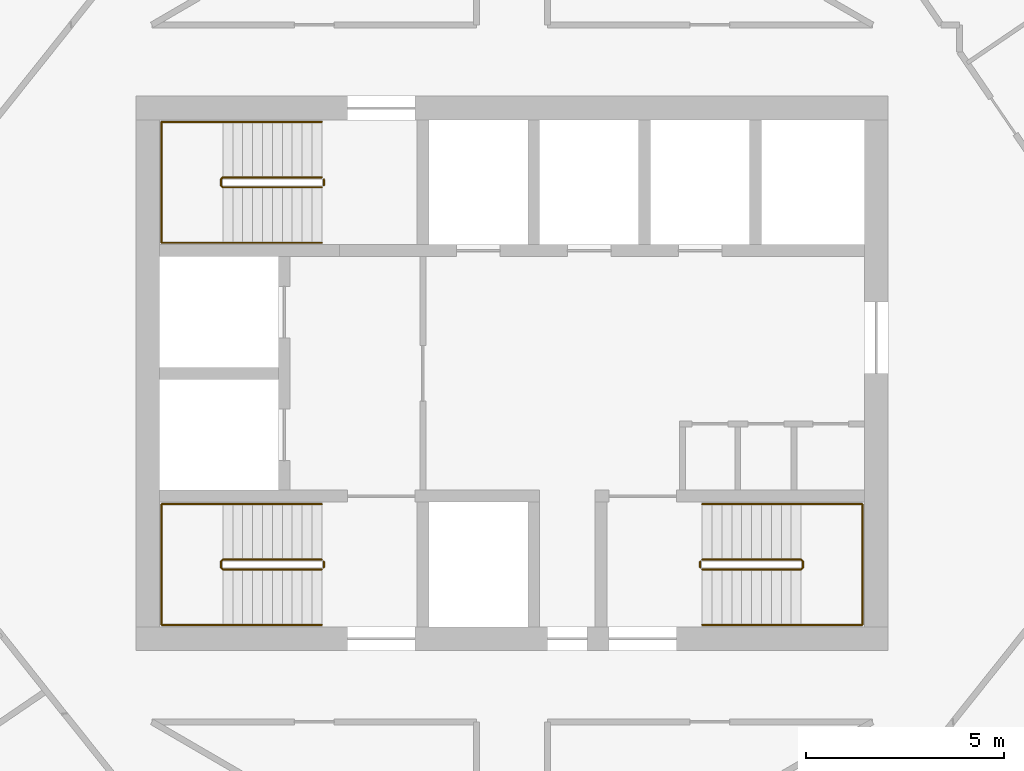
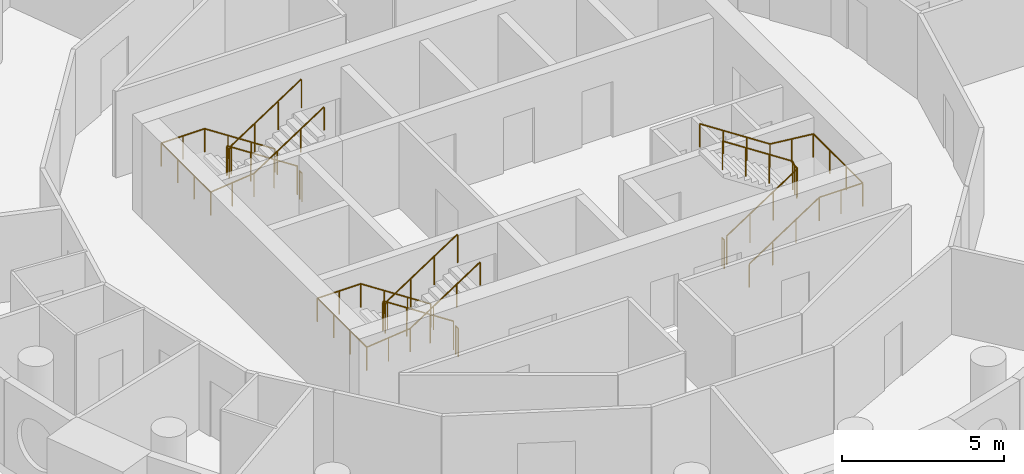
# One storey, part 12 of 12: 9 railings.
"""IFC4 building model written with IfcOpenShell, lengths in metres."""

import ifcopenshell
import ifcopenshell.guid

model = None  # the IFC model being written
_history = None  # IfcOwnerHistory: only IFC2X3 demands one
_inside = {}  # id of a spatial element -> (the spatial element, [elements in it])
_under = {}  # id of a project, library or spatial element -> (it, [spatial elements below it])
_declared = {}  # id of a project -> (the project, [libraries it declares])
_typed = {}  # id of a type object -> (the type object, [elements of that type])
_made_of = {}  # id of a material, layer set ... -> (it, [elements and type objects made of it])


def new_model(schema):
    """Start an empty IFC model of exactly this schema.

    Asked for "IFC4X3", IfcOpenShell would pick the latest addendum, in which some entities
    have other attributes; the version numbers below select the first issue.
    IFC2X3 requires an IfcOwnerHistory on every rooted entity: one is made here for all.
    """
    global model, _history
    if schema == "IFC4X3":
        model = ifcopenshell.file(schema_version=(4, 3, 0, 0))
    else:
        model = ifcopenshell.file(schema=schema)
    _inside.clear()
    _under.clear()
    _declared.clear()
    _typed.clear()
    _made_of.clear()
    _history = None
    if model.schema == "IFC2X3":
        org = make("IfcOrganization", Name="unknown")
        user = make(
            "IfcPersonAndOrganization",
            ThePerson=make("IfcPerson", FamilyName="unknown"),
            TheOrganization=org,
        )
        app = make(
            "IfcApplication",
            ApplicationDeveloper=org,
            Version="unknown",
            ApplicationFullName="unknown",
            ApplicationIdentifier="unknown",
        )
        _history = make(
            "IfcOwnerHistory",
            OwningUser=user,
            OwningApplication=app,
            ChangeAction="ADDED",
            CreationDate=0,
        )
    return model


def make(cls, **values):
    """One entity of the class cls with the attributes given. An attribute that is None is left unset."""
    return model.create_entity(
        cls, **{name: value for name, value in values.items() if value is not None}
    )


def rooted(cls, **values):
    """An entity with a GlobalId (a new one), such as an element, a storey or a relation."""
    return make(cls, GlobalId=ifcopenshell.guid.new(), OwnerHistory=_history, **values)


def si_unit(unit_type, name, prefix=None):
    """IfcSIUnit, for example si_unit("LENGTHUNIT", "METRE", prefix="MILLI")."""
    return make("IfcSIUnit", UnitType=unit_type, Prefix=prefix, Name=name)


def assignment(units):
    """IfcUnitAssignment: the units of a project."""
    return None if units is None else make("IfcUnitAssignment", Units=units)


def point(xyz):
    """IfcCartesianPoint."""
    return None if xyz is None else make("IfcCartesianPoint", Coordinates=xyz)


def direction(xyz):
    """IfcDirection."""
    return None if xyz is None else make("IfcDirection", DirectionRatios=xyz)


def frame(location, z_axis=None, x_axis=None):
    """IfcAxis2Placement3D, a coordinate frame: its origin and axes. An axis left out is left unset."""
    return make(
        "IfcAxis2Placement3D",
        Location=point(location),
        Axis=direction(z_axis),
        RefDirection=direction(x_axis),
    )


def frame_2d(location, x_axis=None):
    """IfcAxis2Placement2D, a coordinate frame in the plane: its origin and x axis."""
    return make(
        "IfcAxis2Placement2D", Location=point(location), RefDirection=direction(x_axis)
    )


def origin():
    """The frame at (0, 0, 0) with its axes left unset."""
    return frame((0.0, 0.0, 0.0))


def origin_2d():
    """The frame at (0, 0) in the plane with its x axis left unset."""
    return frame_2d((0.0, 0.0))


def place(relative_to, where):
    """IfcLocalPlacement: puts the frame where relative to a parent placement (None: the world)."""
    return make(
        "IfcLocalPlacement", PlacementRelTo=relative_to, RelativePlacement=where
    )


def context(
    kind, dimensions, precision=None, world=None, true_north=None, identifier=None
):
    """IfcGeometricRepresentationContext, for example the 3D "Model" context."""
    return make(
        "IfcGeometricRepresentationContext",
        ContextIdentifier=identifier,
        ContextType=kind,
        CoordinateSpaceDimension=dimensions,
        Precision=precision,
        WorldCoordinateSystem=world,
        TrueNorth=true_north,
    )


def subcontext(parent, identifier, kind, view, scale=None):
    """IfcGeometricRepresentationSubContext, for example "Body" below "Model"."""
    return make(
        "IfcGeometricRepresentationSubContext",
        ContextIdentifier=identifier,
        ContextType=kind,
        ParentContext=parent,
        TargetScale=scale,
        TargetView=view,
    )


def project(units=None, contexts=None):
    """IfcProject with its units and contexts."""
    return rooted(
        "IfcProject",
        Name="project",
        RepresentationContexts=contexts,
        UnitsInContext=assignment(units),
    )


def spatial(cls, under=None, at=None, **own):
    """A site, building, storey or space (cls), placed at a placement, below another one or the project."""
    s = rooted(cls, ObjectPlacement=at, **own)
    if under is not None:
        _under.setdefault(under.id(), (under, []))[1].append(s)
    return s


def profile(cls, at=None, kind="AREA", **sizes):
    """A parametric profile (cls). Its sizes go by their IFC names, for example OverallWidth=200.0."""
    return make(cls, ProfileType=kind, Position=at, **sizes)


def circle(**sizes):
    """IfcCircleProfileDef."""
    return profile("IfcCircleProfileDef", **sizes)


def extrude(swept, where, along, depth):
    """IfcExtrudedAreaSolid: the profile swept, set in the frame where, extruded along a direction by depth."""
    return make(
        "IfcExtrudedAreaSolid",
        SweptArea=swept,
        Position=where,
        ExtrudedDirection=direction(along),
        Depth=depth,
    )


def shape(context_of_items, identifier, shape_type, items):
    """IfcShapeRepresentation: the items that make up one representation, for example the "Body"."""
    return make(
        "IfcShapeRepresentation",
        ContextOfItems=context_of_items,
        RepresentationIdentifier=identifier,
        RepresentationType=shape_type,
        Items=items,
    )


def material(Name=None, Category=None):
    """IfcMaterial."""
    return make("IfcMaterial", Name=Name, Category=Category)


def made_of(thing, what):
    """Note that an element or type object is made of a material, layer set ...; save() writes the relation."""
    if what is not None:
        _made_of.setdefault(what.id(), (what, []))[1].append(thing)
    return thing


def type_object(cls, material=None, **own):
    """A type object (cls), such as IfcWallType, which elements share."""
    return made_of(rooted(cls, **own), material)


def element(
    cls,
    number,
    at=None,
    inside=None,
    cuts=None,
    type_object=None,
    material=None,
    context=None,
    identifier="Body",
    shape_type=None,
    held_by="IfcProductDefinitionShape",
    body=None,
    shapes=None,
    **own,
):
    """One element of the class cls, such as IfcWall. Its Tag is "e" and its number.

    at: its placement. inside: the storey or other place that contains it. cuts: it is an
    opening in that element (IfcRelVoidsElement). A single representation is given by context,
    identifier, shape_type and body (its items); several are given by shapes. held_by: the class
    of the entity that holds the representations. save() writes the other relations.
    """
    e = rooted(cls, Tag="e%d" % number, ObjectPlacement=at, **own)
    if body is not None:
        shapes = [shape(context, identifier, shape_type, body)]
    if shapes is not None:
        e.Representation = make(held_by, Representations=shapes)
    if inside is not None:
        _inside.setdefault(inside.id(), (inside, []))[1].append(e)
    if cuts is not None:
        rooted(
            "IfcRelVoidsElement", RelatingBuildingElement=cuts, RelatedOpeningElement=e
        )
    if type_object is not None:
        _typed.setdefault(type_object.id(), (type_object, []))[1].append(e)
    return made_of(e, material)


def aggregate(whole, parts):
    """IfcRelAggregates: a whole, such as a stair, and the parts it consists of."""
    return rooted("IfcRelAggregates", RelatingObject=whole, RelatedObjects=parts)


def save(model, path):
    """Write the relations noted so far, then the file.

    IfcRelAggregates (storeys below a building ...), IfcRelContainedInSpatialStructure (elements
    in a storey), IfcRelDefinesByType, IfcRelAssociatesMaterial and IfcRelDeclares: one each for
    every whole, place, type object, material and project.
    """
    for whole, parts in _under.values():
        aggregate(whole, parts)
    for where, things in _inside.values():
        rooted(
            "IfcRelContainedInSpatialStructure",
            RelatedElements=things,
            RelatingStructure=where,
        )
    for kind, things in _typed.values():
        rooted("IfcRelDefinesByType", RelatedObjects=things, RelatingType=kind)
    for what, things in _made_of.values():
        rooted("IfcRelAssociatesMaterial", RelatedObjects=things, RelatingMaterial=what)
    for by, libraries in _declared.values():
        rooted("IfcRelDeclares", RelatingContext=by, RelatedDefinitions=libraries)
    model.write(path)


model = new_model("IFC4")

# Units and contexts
model_context = context("Model", 3, precision=1e-05, world=origin(), true_north=direction((0.0, 1.0)))
body_context = subcontext(model_context, "Body", "Model", "MODEL_VIEW")
ifc_project = project(units=[si_unit("LENGTHUNIT", "METRE"), si_unit("AREAUNIT", "SQUARE_METRE"), si_unit("VOLUMEUNIT", "CUBIC_METRE"), si_unit("PLANEANGLEUNIT", "RADIAN"), si_unit("MASSUNIT", "GRAM", prefix="KILO")], contexts=[model_context])

# Site, building, storey
site_placement = place(None, origin())
site = spatial("IfcSite", under=ifc_project, at=site_placement, CompositionType="ELEMENT")
building_placement = place(site_placement, origin())
building = spatial("IfcBuilding", under=site, at=building_placement, Name="Tracery Tower", CompositionType="ELEMENT")
storey_placement = place(building_placement, frame((0.0, 0.0, 234.60009765625)))
storey = spatial("IfcBuildingStorey", under=building, at=storey_placement, Name="L60", CompositionType="ELEMENT", Elevation=234.60009765625)

# Railings
ifc_material_1 = material(Name="Stainless steel and laminated glass", Category="steel")
railing_type_1 = type_object("IfcRailingType", Name="Stair guard 1100", PredefinedType="GUARDRAIL", material=ifc_material_1)
railing_1_placement = place(storey_placement, frame((-4.800048828125, -4.699951171875, 0.16357421875)))
element("IfcRailing", 1, at=railing_1_placement, inside=storey, type_object=railing_type_1, Name="L60 stair ST1 guard 1", PredefinedType="GUARDRAIL", context=body_context, shape_type="SweptSolid", body=[
    extrude(circle(Radius=0.02392578125, at=origin_2d()), frame((0.0, 0.0, 1.076171875), z_axis=(-0.836721939367, 0.0, 0.547627972425), x_axis=(0.0, -1.0, 0.0)), (0.0, 0.0, 1.0), 2.98779296875),
    extrude(circle(Radius=0.02392578125, at=origin_2d()), frame((-2.5, 0.0, 2.71240234375), z_axis=(-0.707106781187, -0.707106781187, 0.0), x_axis=(0.707106781187, -0.707106781187, 0.0)), (0.0, 0.0, 1.0), 0.07080078125),
    extrude(circle(Radius=0.02392578125, at=origin_2d()), frame((-2.550048828125, -0.050048828125, 2.71240234375), z_axis=(0.0, -1.0, 0.0), x_axis=(1.0, 0.0, 0.0)), (0.0, 0.0, 1.0), 0.14990234375),
    extrude(circle(Radius=0.02392578125, at=origin_2d()), frame((-2.550048828125, -0.199951171875, 2.71240234375), z_axis=(0.280456126637, -0.280456126637, 0.917980785237), x_axis=(0.707106781187, 0.707106781187, 0.0)), (0.0, 0.0, 1.0), 0.178466796875),
    extrude(circle(Radius=0.02392578125, at=origin_2d()), frame((-2.5, -0.25, 2.8759765625), z_axis=(0.836721939367, 0.0, 0.547627972425), x_axis=(0.0, 1.0, 0.0)), (0.0, 0.0, 1.0), 2.98779296875),
    extrude(circle(Radius=0.02099609375, at=origin_2d()), origin(), (0.0, 0.0, 1.0), 1.052001953125),
    extrude(circle(Radius=0.02099609375, at=origin_2d()), frame((-0.833251953125, 0.0, 0.54541015625)), (0.0, 0.0, 1.0), 1.052001953125),
    extrude(circle(Radius=0.02099609375, at=origin_2d()), frame((-1.666748046875, 0.0, 1.0908203125)), (0.0, 0.0, 1.0), 1.052001953125),
    extrude(circle(Radius=0.02099609375, at=origin_2d()), frame((-2.5, 0.0, 1.63623046875)), (0.0, 0.0, 1.0), 1.052001953125),
    extrude(circle(Radius=0.02099609375, at=origin_2d()), frame((-2.550048828125, -0.050048828125, 1.63623046875)), (0.0, 0.0, 1.0), 1.052001953125),
    extrude(circle(Radius=0.02099609375, at=origin_2d()), frame((-2.550048828125, -0.199951171875, 1.63623046875)), (0.0, 0.0, 1.0), 1.052001953125),
    extrude(circle(Radius=0.02099609375, at=origin_2d()), frame((-2.5, -0.25, 1.800048828125)), (0.0, 0.0, 1.0), 1.052001953125),
    extrude(circle(Radius=0.02099609375, at=origin_2d()), frame((-1.666748046875, -0.25, 2.345458984375)), (0.0, 0.0, 1.0), 1.052001953125),
    extrude(circle(Radius=0.02099609375, at=origin_2d()), frame((-0.833251953125, -0.25, 2.890869140625)), (0.0, 0.0, 1.0), 1.052001953125),
    extrude(circle(Radius=0.02099609375, at=origin_2d()), frame((0.0, -0.25, 3.436279296875)), (0.0, 0.0, 1.0), 1.052001953125),
])
railing_2_placement = place(storey_placement, frame((-4.75, -4.75, 0.0)))
element("IfcRailing", 2, at=railing_2_placement, inside=storey, type_object=railing_type_1, Name="L60 stair ST1 guard 2", PredefinedType="GUARDRAIL", context=body_context, shape_type="SweptSolid", body=[
    extrude(circle(Radius=0.02392578125, at=origin_2d()), frame((0.0, 0.0, 1.076171875), z_axis=(0.0, -1.0, 0.0), x_axis=(1.0, 0.0, 0.0)), (0.0, 0.0, 1.0), 0.14990234375),
    extrude(circle(Radius=0.02099609375, at=origin_2d()), origin(), (0.0, 0.0, 1.0), 1.052001953125),
    extrude(circle(Radius=0.02099609375, at=origin_2d()), frame((0.0, -0.14990234375, 0.0)), (0.0, 0.0, 1.0), 1.052001953125),
])
railing_3_placement = place(storey_placement, frame((-4.800048828125, 4.949951171875, 0.16357421875)))
element("IfcRailing", 3, at=railing_3_placement, inside=storey, type_object=railing_type_1, Name="L60 stair ST3 guard 1", PredefinedType="GUARDRAIL", context=body_context, shape_type="SweptSolid", body=[
    extrude(circle(Radius=0.02392578125, at=origin_2d()), frame((0.0, 0.0, 1.076171875), z_axis=(-0.836721939367, 0.0, 0.547627972425), x_axis=(0.0, -1.0, 0.0)), (0.0, 0.0, 1.0), 2.98779296875),
    extrude(circle(Radius=0.02392578125, at=origin_2d()), frame((-2.5, 0.0, 2.71240234375), z_axis=(-0.707106781187, -0.707106781187, 0.0), x_axis=(0.707106781187, -0.707106781187, 0.0)), (0.0, 0.0, 1.0), 0.07080078125),
    extrude(circle(Radius=0.02392578125, at=origin_2d()), frame((-2.550048828125, -0.050048828125, 2.71240234375), z_axis=(0.0, -1.0, 0.0), x_axis=(1.0, 0.0, 0.0)), (0.0, 0.0, 1.0), 0.14990234375),
    extrude(circle(Radius=0.02392578125, at=origin_2d()), frame((-2.550048828125, -0.199951171875, 2.71240234375), z_axis=(0.280456126637, -0.280456126637, 0.917980785237), x_axis=(0.707106781187, 0.707106781187, 0.0)), (0.0, 0.0, 1.0), 0.178466796875),
    extrude(circle(Radius=0.02392578125, at=origin_2d()), frame((-2.5, -0.25, 2.8759765625), z_axis=(0.836721939367, 0.0, 0.547627972425), x_axis=(0.0, 1.0, 0.0)), (0.0, 0.0, 1.0), 2.98779296875),
    extrude(circle(Radius=0.02099609375, at=origin_2d()), origin(), (0.0, 0.0, 1.0), 1.052001953125),
    extrude(circle(Radius=0.02099609375, at=origin_2d()), frame((-0.833251953125, 0.0, 0.54541015625)), (0.0, 0.0, 1.0), 1.052001953125),
    extrude(circle(Radius=0.02099609375, at=origin_2d()), frame((-1.666748046875, 0.0, 1.0908203125)), (0.0, 0.0, 1.0), 1.052001953125),
    extrude(circle(Radius=0.02099609375, at=origin_2d()), frame((-2.5, 0.0, 1.63623046875)), (0.0, 0.0, 1.0), 1.052001953125),
    extrude(circle(Radius=0.02099609375, at=origin_2d()), frame((-2.550048828125, -0.050048828125, 1.63623046875)), (0.0, 0.0, 1.0), 1.052001953125),
    extrude(circle(Radius=0.02099609375, at=origin_2d()), frame((-2.550048828125, -0.199951171875, 1.63623046875)), (0.0, 0.0, 1.0), 1.052001953125),
    extrude(circle(Radius=0.02099609375, at=origin_2d()), frame((-2.5, -0.25, 1.800048828125)), (0.0, 0.0, 1.0), 1.052001953125),
    extrude(circle(Radius=0.02099609375, at=origin_2d()), frame((-1.666748046875, -0.25, 2.345458984375)), (0.0, 0.0, 1.0), 1.052001953125),
    extrude(circle(Radius=0.02099609375, at=origin_2d()), frame((-0.833251953125, -0.25, 2.890869140625)), (0.0, 0.0, 1.0), 1.052001953125),
    extrude(circle(Radius=0.02099609375, at=origin_2d()), frame((0.0, -0.25, 3.436279296875)), (0.0, 0.0, 1.0), 1.052001953125),
])
railing_4_placement = place(storey_placement, frame((-4.75, 4.89990234375, 0.0)))
element("IfcRailing", 4, at=railing_4_placement, inside=storey, type_object=railing_type_1, Name="L60 stair ST3 guard 2", PredefinedType="GUARDRAIL", context=body_context, shape_type="SweptSolid", body=[
    extrude(circle(Radius=0.02392578125, at=origin_2d()), frame((0.0, 0.0, 1.076171875), z_axis=(0.0, -1.0, 0.0), x_axis=(1.0, 0.0, 0.0)), (0.0, 0.0, 1.0), 0.14990234375),
    extrude(circle(Radius=0.02099609375, at=origin_2d()), origin(), (0.0, 0.0, 1.0), 1.052001953125),
    extrude(circle(Radius=0.02099609375, at=origin_2d()), frame((0.0, -0.14990234375, 0.0)), (0.0, 0.0, 1.0), 1.052001953125),
])
railing_5_placement = place(storey_placement, frame((4.800048828125, -4.949951171875, 0.16357421875)))
element("IfcRailing", 5, at=railing_5_placement, inside=storey, type_object=railing_type_1, Name="L60 stair ST2 guard 1", PredefinedType="GUARDRAIL", context=body_context, shape_type="SweptSolid", body=[
    extrude(circle(Radius=0.02392578125, at=origin_2d()), frame((0.0, 0.0, 1.076171875), z_axis=(0.836721939367, 0.0, 0.547627972425), x_axis=(0.0, 1.0, 0.0)), (0.0, 0.0, 1.0), 2.98779296875),
    extrude(circle(Radius=0.02392578125, at=origin_2d()), frame((2.5, 0.0, 2.71240234375), z_axis=(0.707106781187, 0.707106781187, 0.0), x_axis=(-0.707106781187, 0.707106781187, 0.0)), (0.0, 0.0, 1.0), 0.07080078125),
    extrude(circle(Radius=0.02392578125, at=origin_2d()), frame((2.550048828125, 0.050048828125, 2.71240234375), z_axis=(0.0, 1.0, 0.0), x_axis=(-1.0, 0.0, 0.0)), (0.0, 0.0, 1.0), 0.14990234375),
    extrude(circle(Radius=0.02392578125, at=origin_2d()), frame((2.550048828125, 0.199951171875, 2.71240234375), z_axis=(-0.280456126637, 0.280456126637, 0.917980785237), x_axis=(-0.707106781187, -0.707106781187, 0.0)), (0.0, 0.0, 1.0), 0.178466796875),
    extrude(circle(Radius=0.02392578125, at=origin_2d()), frame((2.5, 0.25, 2.8759765625), z_axis=(-0.836721939367, 0.0, 0.547627972425), x_axis=(0.0, -1.0, 0.0)), (0.0, 0.0, 1.0), 2.98779296875),
    extrude(circle(Radius=0.02099609375, at=origin_2d()), origin(), (0.0, 0.0, 1.0), 1.052001953125),
    extrude(circle(Radius=0.02099609375, at=origin_2d()), frame((0.833251953125, 0.0, 0.54541015625)), (0.0, 0.0, 1.0), 1.052001953125),
    extrude(circle(Radius=0.02099609375, at=origin_2d()), frame((1.666748046875, 0.0, 1.0908203125)), (0.0, 0.0, 1.0), 1.052001953125),
    extrude(circle(Radius=0.02099609375, at=origin_2d()), frame((2.5, 0.0, 1.63623046875)), (0.0, 0.0, 1.0), 1.052001953125),
    extrude(circle(Radius=0.02099609375, at=origin_2d()), frame((2.550048828125, 0.050048828125, 1.63623046875)), (0.0, 0.0, 1.0), 1.052001953125),
    extrude(circle(Radius=0.02099609375, at=origin_2d()), frame((2.550048828125, 0.199951171875, 1.63623046875)), (0.0, 0.0, 1.0), 1.052001953125),
    extrude(circle(Radius=0.02099609375, at=origin_2d()), frame((2.5, 0.25, 1.800048828125)), (0.0, 0.0, 1.0), 1.052001953125),
    extrude(circle(Radius=0.02099609375, at=origin_2d()), frame((1.666748046875, 0.25, 2.345458984375)), (0.0, 0.0, 1.0), 1.052001953125),
    extrude(circle(Radius=0.02099609375, at=origin_2d()), frame((0.833251953125, 0.25, 2.890869140625)), (0.0, 0.0, 1.0), 1.052001953125),
    extrude(circle(Radius=0.02099609375, at=origin_2d()), frame((0.0, 0.25, 3.436279296875)), (0.0, 0.0, 1.0), 1.052001953125),
])
railing_6_placement = place(storey_placement, frame((4.75, -4.89990234375, 0.0)))
element("IfcRailing", 6, at=railing_6_placement, inside=storey, type_object=railing_type_1, Name="L60 stair ST2 guard 2", PredefinedType="GUARDRAIL", context=body_context, shape_type="SweptSolid", body=[
    extrude(circle(Radius=0.02392578125, at=origin_2d()), frame((0.0, 0.0, 1.076171875), z_axis=(0.0, 1.0, 0.0), x_axis=(-1.0, 0.0, 0.0)), (0.0, 0.0, 1.0), 0.14990234375),
    extrude(circle(Radius=0.02099609375, at=origin_2d()), origin(), (0.0, 0.0, 1.0), 1.052001953125),
    extrude(circle(Radius=0.02099609375, at=origin_2d()), frame((0.0, 0.14990234375, 0.0)), (0.0, 0.0, 1.0), 1.052001953125),
])
ifc_material_2 = material(Name="Stainless steel and laminated glass", Category="steel")
railing_type_2 = type_object("IfcRailingType", Name="Stair handrail 900", PredefinedType="HANDRAIL", material=ifc_material_2)
railing_7_placement = place(storey_placement, frame((-4.800048828125, -3.300048828125, 0.16357421875)))
element("IfcRailing", 7, at=railing_7_placement, inside=storey, type_object=railing_type_2, Name="L60 stair ST1 handrail 1", PredefinedType="HANDRAIL", context=body_context, shape_type="SweptSolid", body=[
    extrude(circle(Radius=0.02392578125, at=origin_2d()), frame((0.0, 0.0, 0.8759765625), z_axis=(-0.836721939367, 0.0, 0.547627972425), x_axis=(0.0, -1.0, 0.0)), (0.0, 0.0, 1.0), 2.98779296875),
    extrude(circle(Radius=0.02392578125, at=origin_2d()), frame((-2.5, 0.0, 2.51220703125), z_axis=(-1.0, 0.0, 0.0), x_axis=(0.0, -1.0, 0.0)), (0.0, 0.0, 1.0), 1.550048828125),
    extrude(circle(Radius=0.02392578125, at=origin_2d()), frame((-4.050048828125, 0.0, 2.51220703125), z_axis=(0.0, -1.0, 0.0), x_axis=(1.0, 0.0, 0.0)), (0.0, 0.0, 1.0), 3.050048828125),
    extrude(circle(Radius=0.02392578125, at=origin_2d()), frame((-4.050048828125, -3.050048828125, 2.51220703125), z_axis=(0.994461594632, 0.0, 0.105100603244), x_axis=(0.0, 1.0, 0.0)), (0.0, 0.0, 1.0), 1.55859375),
    extrude(circle(Radius=0.02392578125, at=origin_2d()), frame((-2.5, -3.050048828125, 2.67578125), z_axis=(0.836721939367, 0.0, 0.547627972425), x_axis=(0.0, 1.0, 0.0)), (0.0, 0.0, 1.0), 2.98779296875),
    extrude(circle(Radius=0.02099609375, at=origin_2d()), origin(), (0.0, 0.0, 1.0), 0.851806640625),
    extrude(circle(Radius=0.02099609375, at=origin_2d()), frame((-0.833251953125, 0.0, 0.54541015625)), (0.0, 0.0, 1.0), 0.851806640625),
    extrude(circle(Radius=0.02099609375, at=origin_2d()), frame((-1.666748046875, 0.0, 1.0908203125)), (0.0, 0.0, 1.0), 0.851806640625),
    extrude(circle(Radius=0.02099609375, at=origin_2d()), frame((-2.5, 0.0, 1.63623046875)), (0.0, 0.0, 1.0), 0.851806640625),
    extrude(circle(Radius=0.02099609375, at=origin_2d()), frame((-3.27490234375, 0.0, 1.63623046875)), (0.0, 0.0, 1.0), 0.851806640625),
    extrude(circle(Radius=0.02099609375, at=origin_2d()), frame((-4.050048828125, 0.0, 1.63623046875)), (0.0, 0.0, 1.0), 0.851806640625),
    extrude(circle(Radius=0.02099609375, at=origin_2d()), frame((-4.050048828125, -1.0166015625, 1.63623046875)), (0.0, 0.0, 1.0), 0.851806640625),
    extrude(circle(Radius=0.02099609375, at=origin_2d()), frame((-4.050048828125, -2.033447265625, 1.63623046875)), (0.0, 0.0, 1.0), 0.851806640625),
    extrude(circle(Radius=0.02099609375, at=origin_2d()), frame((-4.050048828125, -3.050048828125, 1.63623046875)), (0.0, 0.0, 1.0), 0.851806640625),
    extrude(circle(Radius=0.02099609375, at=origin_2d()), frame((-3.27490234375, -3.050048828125, 1.71826171875)), (0.0, 0.0, 1.0), 0.851806640625),
    extrude(circle(Radius=0.02099609375, at=origin_2d()), frame((-2.5, -3.050048828125, 1.800048828125)), (0.0, 0.0, 1.0), 0.851806640625),
    extrude(circle(Radius=0.02099609375, at=origin_2d()), frame((-1.666748046875, -3.050048828125, 2.345458984375)), (0.0, 0.0, 1.0), 0.851806640625),
    extrude(circle(Radius=0.02099609375, at=origin_2d()), frame((-0.833251953125, -3.050048828125, 2.890869140625)), (0.0, 0.0, 1.0), 0.851806640625),
    extrude(circle(Radius=0.02099609375, at=origin_2d()), frame((0.0, -3.050048828125, 3.436279296875)), (0.0, 0.0, 1.0), 0.851806640625),
])
railing_8_placement = place(storey_placement, frame((-4.800048828125, 6.35009765625, 0.16357421875)))
element("IfcRailing", 8, at=railing_8_placement, inside=storey, type_object=railing_type_2, Name="L60 stair ST3 handrail 1", PredefinedType="HANDRAIL", context=body_context, shape_type="SweptSolid", body=[
    extrude(circle(Radius=0.02392578125, at=origin_2d()), frame((0.0, 0.0, 0.8759765625), z_axis=(-0.836721939367, 0.0, 0.547627972425), x_axis=(0.0, -1.0, 0.0)), (0.0, 0.0, 1.0), 2.98779296875),
    extrude(circle(Radius=0.02392578125, at=origin_2d()), frame((-2.5, 0.0, 2.51220703125), z_axis=(-1.0, 0.0, 0.0), x_axis=(0.0, -1.0, 0.0)), (0.0, 0.0, 1.0), 1.550048828125),
    extrude(circle(Radius=0.02392578125, at=origin_2d()), frame((-4.050048828125, 0.0, 2.51220703125), z_axis=(0.0, -1.0, 0.0), x_axis=(1.0, 0.0, 0.0)), (0.0, 0.0, 1.0), 3.050048828125),
    extrude(circle(Radius=0.02392578125, at=origin_2d()), frame((-4.050048828125, -3.050048828125, 2.51220703125), z_axis=(0.994461594632, 0.0, 0.105100603244), x_axis=(0.0, 1.0, 0.0)), (0.0, 0.0, 1.0), 1.55859375),
    extrude(circle(Radius=0.02392578125, at=origin_2d()), frame((-2.5, -3.050048828125, 2.67578125), z_axis=(0.836721939367, 0.0, 0.547627972425), x_axis=(0.0, 1.0, 0.0)), (0.0, 0.0, 1.0), 2.98779296875),
    extrude(circle(Radius=0.02099609375, at=origin_2d()), origin(), (0.0, 0.0, 1.0), 0.851806640625),
    extrude(circle(Radius=0.02099609375, at=origin_2d()), frame((-0.833251953125, 0.0, 0.54541015625)), (0.0, 0.0, 1.0), 0.851806640625),
    extrude(circle(Radius=0.02099609375, at=origin_2d()), frame((-1.666748046875, 0.0, 1.0908203125)), (0.0, 0.0, 1.0), 0.851806640625),
    extrude(circle(Radius=0.02099609375, at=origin_2d()), frame((-2.5, 0.0, 1.63623046875)), (0.0, 0.0, 1.0), 0.851806640625),
    extrude(circle(Radius=0.02099609375, at=origin_2d()), frame((-3.27490234375, 0.0, 1.63623046875)), (0.0, 0.0, 1.0), 0.851806640625),
    extrude(circle(Radius=0.02099609375, at=origin_2d()), frame((-4.050048828125, 0.0, 1.63623046875)), (0.0, 0.0, 1.0), 0.851806640625),
    extrude(circle(Radius=0.02099609375, at=origin_2d()), frame((-4.050048828125, -1.0166015625, 1.63623046875)), (0.0, 0.0, 1.0), 0.851806640625),
    extrude(circle(Radius=0.02099609375, at=origin_2d()), frame((-4.050048828125, -2.033447265625, 1.63623046875)), (0.0, 0.0, 1.0), 0.851806640625),
    extrude(circle(Radius=0.02099609375, at=origin_2d()), frame((-4.050048828125, -3.050048828125, 1.63623046875)), (0.0, 0.0, 1.0), 0.851806640625),
    extrude(circle(Radius=0.02099609375, at=origin_2d()), frame((-3.27490234375, -3.050048828125, 1.71826171875)), (0.0, 0.0, 1.0), 0.851806640625),
    extrude(circle(Radius=0.02099609375, at=origin_2d()), frame((-2.5, -3.050048828125, 1.800048828125)), (0.0, 0.0, 1.0), 0.851806640625),
    extrude(circle(Radius=0.02099609375, at=origin_2d()), frame((-1.666748046875, -3.050048828125, 2.345458984375)), (0.0, 0.0, 1.0), 0.851806640625),
    extrude(circle(Radius=0.02099609375, at=origin_2d()), frame((-0.833251953125, -3.050048828125, 2.890869140625)), (0.0, 0.0, 1.0), 0.851806640625),
    extrude(circle(Radius=0.02099609375, at=origin_2d()), frame((0.0, -3.050048828125, 3.436279296875)), (0.0, 0.0, 1.0), 0.851806640625),
])
railing_9_placement = place(storey_placement, frame((4.800048828125, -6.35009765625, 0.16357421875)))
element("IfcRailing", 9, at=railing_9_placement, inside=storey, type_object=railing_type_2, Name="L60 stair ST2 handrail 1", PredefinedType="HANDRAIL", context=body_context, shape_type="SweptSolid", body=[
    extrude(circle(Radius=0.02392578125, at=origin_2d()), frame((0.0, 0.0, 0.8759765625), z_axis=(0.836721939367, 0.0, 0.547627972425), x_axis=(0.0, 1.0, 0.0)), (0.0, 0.0, 1.0), 2.98779296875),
    extrude(circle(Radius=0.02392578125, at=origin_2d()), frame((2.5, 0.0, 2.51220703125), z_axis=(1.0, 0.0, 0.0), x_axis=(0.0, 1.0, 0.0)), (0.0, 0.0, 1.0), 1.550048828125),
    extrude(circle(Radius=0.02392578125, at=origin_2d()), frame((4.050048828125, 0.0, 2.51220703125), z_axis=(0.0, 1.0, 0.0), x_axis=(-1.0, 0.0, 0.0)), (0.0, 0.0, 1.0), 3.050048828125),
    extrude(circle(Radius=0.02392578125, at=origin_2d()), frame((4.050048828125, 3.050048828125, 2.51220703125), z_axis=(-0.994461594632, 0.0, 0.105100603244), x_axis=(0.0, -1.0, 0.0)), (0.0, 0.0, 1.0), 1.55859375),
    extrude(circle(Radius=0.02392578125, at=origin_2d()), frame((2.5, 3.050048828125, 2.67578125), z_axis=(-0.836721939367, 0.0, 0.547627972425), x_axis=(0.0, -1.0, 0.0)), (0.0, 0.0, 1.0), 2.98779296875),
    extrude(circle(Radius=0.02099609375, at=origin_2d()), origin(), (0.0, 0.0, 1.0), 0.851806640625),
    extrude(circle(Radius=0.02099609375, at=origin_2d()), frame((0.833251953125, 0.0, 0.54541015625)), (0.0, 0.0, 1.0), 0.851806640625),
    extrude(circle(Radius=0.02099609375, at=origin_2d()), frame((1.666748046875, 0.0, 1.0908203125)), (0.0, 0.0, 1.0), 0.851806640625),
    extrude(circle(Radius=0.02099609375, at=origin_2d()), frame((2.5, 0.0, 1.63623046875)), (0.0, 0.0, 1.0), 0.851806640625),
    extrude(circle(Radius=0.02099609375, at=origin_2d()), frame((3.27490234375, 0.0, 1.63623046875)), (0.0, 0.0, 1.0), 0.851806640625),
    extrude(circle(Radius=0.02099609375, at=origin_2d()), frame((4.050048828125, 0.0, 1.63623046875)), (0.0, 0.0, 1.0), 0.851806640625),
    extrude(circle(Radius=0.02099609375, at=origin_2d()), frame((4.050048828125, 1.0166015625, 1.63623046875)), (0.0, 0.0, 1.0), 0.851806640625),
    extrude(circle(Radius=0.02099609375, at=origin_2d()), frame((4.050048828125, 2.033447265625, 1.63623046875)), (0.0, 0.0, 1.0), 0.851806640625),
    extrude(circle(Radius=0.02099609375, at=origin_2d()), frame((4.050048828125, 3.050048828125, 1.63623046875)), (0.0, 0.0, 1.0), 0.851806640625),
    extrude(circle(Radius=0.02099609375, at=origin_2d()), frame((3.27490234375, 3.050048828125, 1.71826171875)), (0.0, 0.0, 1.0), 0.851806640625),
    extrude(circle(Radius=0.02099609375, at=origin_2d()), frame((2.5, 3.050048828125, 1.800048828125)), (0.0, 0.0, 1.0), 0.851806640625),
    extrude(circle(Radius=0.02099609375, at=origin_2d()), frame((1.666748046875, 3.050048828125, 2.345458984375)), (0.0, 0.0, 1.0), 0.851806640625),
    extrude(circle(Radius=0.02099609375, at=origin_2d()), frame((0.833251953125, 3.050048828125, 2.890869140625)), (0.0, 0.0, 1.0), 0.851806640625),
    extrude(circle(Radius=0.02099609375, at=origin_2d()), frame((0.0, 3.050048828125, 3.436279296875)), (0.0, 0.0, 1.0), 0.851806640625),
])

save(model, "model.ifc")
